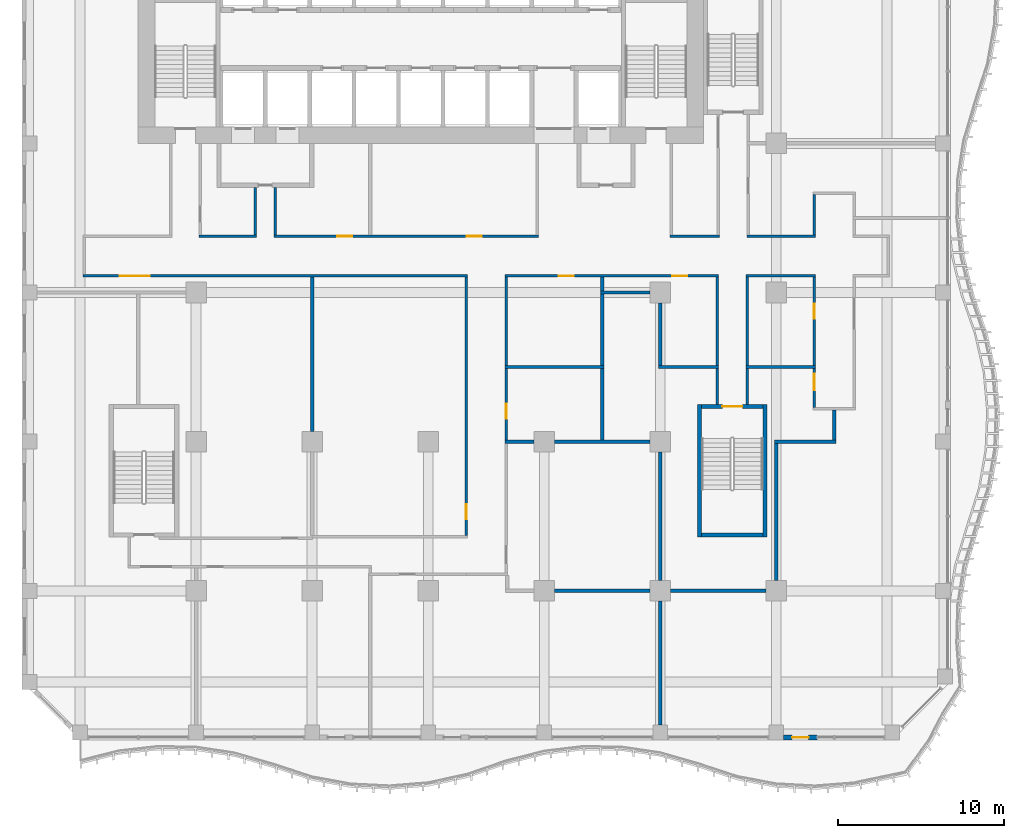
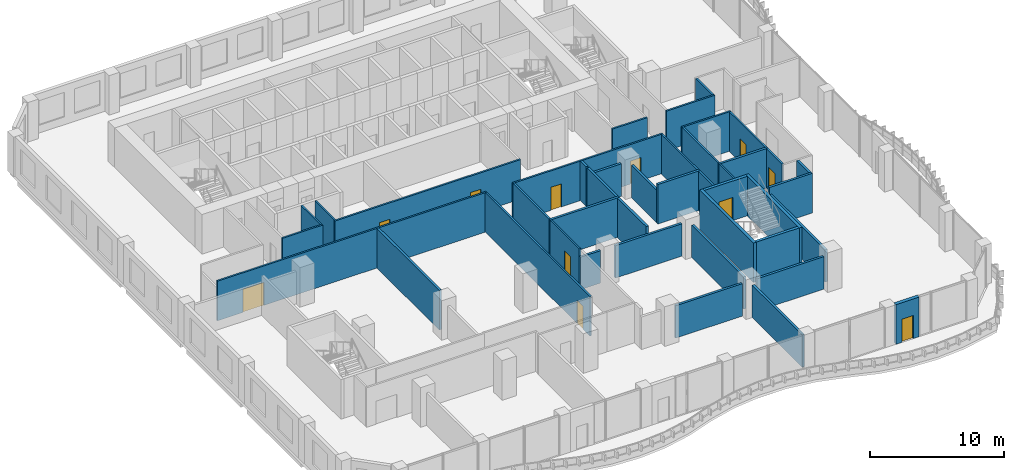
# One storey, part 13 of 21: 42 walls, 11 doors, 11 openings.
"""IFC4 building model written with IfcOpenShell, lengths in metres."""

from ifc_helpers import new_model, si_unit, direction, frame, frame_2d, origin, place, context, subcontext, project, spatial, rectangle, extrude, source, transform, mapped, material, layer, layer_set, type_object, element, fill, save


model = new_model("IFC4")

# Units and contexts
model_context = context("Model", 3, precision=1e-05, world=origin(), true_north=direction((0.0, 1.0)))
body_context = subcontext(model_context, "Body", "Model", "MODEL_VIEW")
ifc_project = project(units=[si_unit("LENGTHUNIT", "METRE"), si_unit("AREAUNIT", "SQUARE_METRE"), si_unit("VOLUMEUNIT", "CUBIC_METRE"), si_unit("PLANEANGLEUNIT", "RADIAN"), si_unit("MASSUNIT", "GRAM", prefix="KILO")], contexts=[model_context])

# Site, building, storey
site_placement = place(None, origin())
site = spatial("IfcSite", under=ifc_project, at=site_placement, CompositionType="ELEMENT")
building_placement = place(site_placement, origin())
building = spatial("IfcBuilding", under=site, at=building_placement, Name="Kilnfold Tower and Market Hall", CompositionType="ELEMENT")
storey_placement = place(building_placement, frame((0.0, 0.0, 91.199951171875)))
storey = spatial("IfcBuildingStorey", under=building, at=storey_placement, Name="L21", CompositionType="ELEMENT", Elevation=91.199951171875)

# Wall, opening, door
ifc_material_1 = material(Name="Gypsum board on steel studs", Category="steel")
ifc_layer_1 = layer(ifc_material_1, 0.14990234375)
ifc_layer_set_1 = layer_set([ifc_layer_1], Name="Gypsum board on steel studs")
wall_type_1 = type_object("IfcWallType", Name="WALL CORRIDOR 150", PredefinedType="PARTITIONING", material=ifc_layer_set_1)
wall_1_placement = place(storey_placement, frame((-19.324951171875, 0.0, 0.0), z_axis=(0.0, 0.0, 1.0), x_axis=(1.0, 0.0, 0.0)))
wall_1 = element("IfcWall", 1, at=wall_1_placement, inside=storey, type_object=wall_type_1, Name="Partition LY14.6", PredefinedType="PARTITIONING", context=body_context, shape_type="SweptSolid", body=[
    extrude(rectangle(XDim=23.199951171875, YDim=0.14990234375, at=frame_2d((11.60009765625, 0.0))), origin(), (0.0, 0.0, 1.0), 3.60009765625),
])
opening_1_placement = place(wall_1_placement, frame((2.215087890625, 0.0, 0.0)))
opening_1 = element("IfcOpeningElement", 2, at=opening_1_placement, cuts=wall_1, Name="Opening D5", PredefinedType="OPENING", context=body_context, shape_type="SweptSolid", body=[
    extrude(rectangle(XDim=1.800048828125, YDim=2.10009765625, at=frame_2d((0.89990234375, 1.050048828125))), frame((0.0, 0.0849609375, 0.0), z_axis=(0.0, -1.0, 0.0), x_axis=(1.0, 0.0, 0.0)), (0.0, 0.0, 1.0), 0.169921875),
])
ifc_material_2 = material(Name="Timber veneer door leaf in steel frame", Category="steel")
door_type_1 = type_object("IfcDoorType", Name="DOOR DOUBLE 1800 X2100", OperationType="NOTDEFINED", PredefinedType="DOOR", material=ifc_material_2)
door_1_placement = place(opening_1_placement, origin())
door_1 = element("IfcDoor", 3, at=door_1_placement, inside=storey, type_object=door_type_1, Name="Door D5", OperationType="DOUBLE_DOOR_SINGLE_SWING", OverallHeight=2.10009765625, OverallWidth=1.800048828125, PredefinedType="DOOR", context=body_context, shape_type="SweptSolid", body=[
    extrude(rectangle(XDim=1.800048828125, YDim=2.10009765625, at=frame_2d((0.89990234375, 1.050048828125))), frame((0.0, 0.02490234375, 0.0), z_axis=(0.0, -1.0, 0.0), x_axis=(1.0, 0.0, 0.0)), (0.0, 0.0, 1.0), 0.050048828125),
])
fill(opening_1, door_1)

wall_2_placement = place(storey_placement, frame((3.800048828125, -0.074951171875, 0.0), z_axis=(0.0, 0.0, 1.0), x_axis=(0.0, -1.0, 0.0)))
wall_2 = element("IfcWall", 4, at=wall_2_placement, inside=storey, type_object=wall_type_1, Name="Partition LY14.12", PredefinedType="PARTITIONING", context=body_context, shape_type="SweptSolid", body=[
    extrude(rectangle(XDim=15.60009765625, YDim=0.14990234375, at=frame_2d((7.800048828125, 0.0))), origin(), (0.0, 0.0, 1.0), 3.60009765625),
])
opening_2_placement = place(wall_2_placement, frame((13.699951171875, 0.0, 0.0)))
opening_2 = element("IfcOpeningElement", 5, at=opening_2_placement, cuts=wall_2, Name="Opening D2", PredefinedType="OPENING", context=body_context, shape_type="SweptSolid", body=[
    extrude(rectangle(XDim=0.89990234375, YDim=2.10009765625, at=frame_2d((0.449951171875, 1.050048828125))), frame((0.0, 0.0849609375, 0.0), z_axis=(0.0, -1.0, 0.0), x_axis=(1.0, 0.0, 0.0)), (0.0, 0.0, 1.0), 0.169921875),
])
ifc_material_3 = material(Name="Timber veneer door leaf in steel frame", Category="steel")
door_type_2 = type_object("IfcDoorType", Name="DOOR ROOM 900 X2100", OperationType="NOTDEFINED", PredefinedType="DOOR", material=ifc_material_3)
door_2_placement = place(opening_2_placement, origin())
door_2 = element("IfcDoor", 6, at=door_2_placement, inside=storey, type_object=door_type_2, Name="Door D2", OperationType="SINGLE_SWING_RIGHT", OverallHeight=2.10009765625, OverallWidth=0.89990234375, PredefinedType="DOOR", context=body_context, shape_type="SweptSolid", body=[
    extrude(rectangle(XDim=0.89990234375, YDim=2.10009765625, at=frame_2d((0.449951171875, 1.050048828125))), frame((0.0, 0.02490234375, 0.0), z_axis=(0.0, -1.0, 0.0), x_axis=(1.0, 0.0, 0.0)), (0.0, 0.0, 1.0), 0.050048828125),
])
fill(opening_2, door_2)

# Walls
wall_3_placement = place(storey_placement, frame((-12.324951171875, 2.39990234375, 0.0), z_axis=(0.0, 0.0, 1.0), x_axis=(1.0, 0.0, 0.0)))
element("IfcWall", 7, at=wall_3_placement, inside=storey, type_object=wall_type_1, Name="Partition LY14.14", PredefinedType="PARTITIONING", context=body_context, shape_type="SweptSolid", body=[
    extrude(rectangle(XDim=3.469970703125, YDim=0.14990234375, at=frame_2d((1.73486328125, 0.0))), origin(), (0.0, 0.0, 1.0), 3.60009765625),
])
for number, where, z_axis, x_axis, name in (
    (8, (-8.929931640625, 5.35009765625, 0.0), (0.0, 0.0, 1.0), (0.0, -1.0, 0.0), "Partition LY14.15"),
    (9, (-7.72998046875, 2.47509765625, 0.0), (0.0, 0.0, 1.0), (0.0, 1.0, 0.0), "Partition LY14.16"),
):
    element("IfcWall", number, at=place(storey_placement, frame(where, z_axis=z_axis, x_axis=x_axis)), inside=storey, type_object=wall_type_1, Name=name, PredefinedType="PARTITIONING", context=body_context, shape_type="SweptSolid", body=[
        extrude(rectangle(XDim=2.875, YDim=0.14990234375, at=frame_2d((1.4375, 0.0))), origin(), (0.0, 0.0, 1.0), 3.60009765625),
    ])

# Wall, openings, doors
wall_4_placement = place(storey_placement, frame((-7.804931640625, 2.39990234375, 0.0), z_axis=(0.0, 0.0, 1.0), x_axis=(1.0, 0.0, 0.0)))
wall_4 = element("IfcWall", 10, at=wall_4_placement, inside=storey, type_object=wall_type_1, Name="Partition LY14.17", PredefinedType="PARTITIONING", context=body_context, shape_type="SweptSolid", body=[
    extrude(rectangle(XDim=15.969970703125, YDim=0.14990234375, at=frame_2d((7.98486328125, 0.0))), origin(), (0.0, 0.0, 1.0), 3.60009765625),
])
opening_3_placement = place(wall_4_placement, frame((3.81201171875, 0.0, 0.0)))
opening_3 = element("IfcOpeningElement", 11, at=opening_3_placement, cuts=wall_4, Name="Opening D3", PredefinedType="OPENING", context=body_context, shape_type="SweptSolid", body=[
    extrude(rectangle(XDim=0.89990234375, YDim=2.10009765625, at=frame_2d((0.449951171875, 1.050048828125))), frame((0.0, 0.0849609375, 0.0), z_axis=(0.0, -1.0, 0.0), x_axis=(1.0, 0.0, 0.0)), (0.0, 0.0, 1.0), 0.169921875),
])
opening_4_placement = place(wall_4_placement, frame((11.64306640625, 0.0, 0.0)))
opening_4 = element("IfcOpeningElement", 12, at=opening_4_placement, cuts=wall_4, Name="Opening D2", PredefinedType="OPENING", context=body_context, shape_type="SweptSolid", body=[
    extrude(rectangle(XDim=0.89990234375, YDim=2.10009765625, at=frame_2d((0.449951171875, 1.050048828125))), frame((0.0, 0.0849609375, 0.0), z_axis=(0.0, -1.0, 0.0), x_axis=(1.0, 0.0, 0.0)), (0.0, 0.0, 1.0), 0.169921875),
])
door_3_placement = place(opening_4_placement, origin())
door_3 = element("IfcDoor", 13, at=door_3_placement, inside=storey, type_object=door_type_2, Name="Door D2", OperationType="SINGLE_SWING_LEFT", OverallHeight=2.10009765625, OverallWidth=0.89990234375, PredefinedType="DOOR", context=body_context, shape_type="SweptSolid", body=[
    extrude(rectangle(XDim=0.89990234375, YDim=2.10009765625, at=frame_2d((0.449951171875, 1.050048828125))), frame((0.0, 0.02490234375, 0.0), z_axis=(0.0, -1.0, 0.0), x_axis=(1.0, 0.0, 0.0)), (0.0, 0.0, 1.0), 0.050048828125),
])
fill(opening_4, door_3)
ifc_material_4 = material(Name="Timber veneer door leaf in steel frame", Category="steel")
door_type_3 = type_object("IfcDoorType", Name="DOOR WC 900 X2100", OperationType="NOTDEFINED", PredefinedType="DOOR", material=ifc_material_4)
door_4_placement = place(opening_3_placement, origin())
door_4 = element("IfcDoor", 14, at=door_4_placement, inside=storey, type_object=door_type_3, Name="Door D3", OperationType="SINGLE_SWING_RIGHT", OverallHeight=2.10009765625, OverallWidth=0.89990234375, PredefinedType="DOOR", context=body_context, shape_type="SweptSolid", body=[
    extrude(rectangle(XDim=0.89990234375, YDim=2.10009765625, at=frame_2d((0.449951171875, 1.050048828125))), frame((0.0, 0.02490234375, 0.0), z_axis=(0.0, -1.0, 0.0), x_axis=(1.0, 0.0, 0.0)), (0.0, 0.0, 1.0), 0.050048828125),
])
fill(opening_3, door_4)

# Wall, opening, door
wall_5_placement = place(storey_placement, frame((6.199951171875, -9.909912109375, 0.0), z_axis=(0.0, 0.0, 1.0), x_axis=(0.0, 1.0, 0.0)))
wall_5 = element("IfcWall", 15, at=wall_5_placement, inside=storey, type_object=wall_type_1, Name="Partition LY14.20", PredefinedType="PARTITIONING", context=body_context, shape_type="SweptSolid", body=[
    extrude(rectangle(XDim=4.31982421875, YDim=0.14990234375, at=frame_2d((2.159912109375, 0.0))), origin(), (0.0, 0.0, 1.0), 3.60009765625),
])
opening_5_placement = place(wall_5_placement, frame((1.306884765625, 0.0, 0.0)))
opening_5 = element("IfcOpeningElement", 16, at=opening_5_placement, cuts=wall_5, Name="Opening D2", PredefinedType="OPENING", context=body_context, shape_type="SweptSolid", body=[
    extrude(rectangle(XDim=0.89990234375, YDim=2.10009765625, at=frame_2d((0.449951171875, 1.050048828125))), frame((0.0, 0.0849609375, 0.0), z_axis=(0.0, -1.0, 0.0), x_axis=(1.0, 0.0, 0.0)), (0.0, 0.0, 1.0), 0.169921875),
])
door_5_placement = place(opening_5_placement, origin())
door_5 = element("IfcDoor", 17, at=door_5_placement, inside=storey, type_object=door_type_2, Name="Door D2", OperationType="SINGLE_SWING_RIGHT", OverallHeight=2.10009765625, OverallWidth=0.89990234375, PredefinedType="DOOR", context=body_context, shape_type="SweptSolid", body=[
    extrude(rectangle(XDim=0.89990234375, YDim=2.10009765625, at=frame_2d((0.449951171875, 1.050048828125))), frame((0.0, 0.02490234375, 0.0), z_axis=(0.0, -1.0, 0.0), x_axis=(1.0, 0.0, 0.0)), (0.0, 0.0, 1.0), 0.050048828125),
])
fill(opening_5, door_5)

# Wall, openings, doors
wall_6_placement = place(storey_placement, frame((6.125, 0.0, 0.0), z_axis=(0.0, 0.0, 1.0), x_axis=(1.0, 0.0, 0.0)))
wall_6 = element("IfcWall", 18, at=wall_6_placement, inside=storey, type_object=wall_type_1, Name="Partition LY14.21", PredefinedType="PARTITIONING", context=body_context, shape_type="SweptSolid", body=[
    extrude(rectangle(XDim=12.89990234375, YDim=0.14990234375, at=frame_2d((6.449951171875, 0.0))), origin(), (0.0, 0.0, 1.0), 3.60009765625),
])
opening_6_placement = place(wall_6_placement, frame((3.257080078125, 0.0, 0.0)))
opening_6 = element("IfcOpeningElement", 19, at=opening_6_placement, cuts=wall_6, Name="Opening D3", PredefinedType="OPENING", context=body_context, shape_type="SweptSolid", body=[
    extrude(rectangle(XDim=0.89990234375, YDim=2.10009765625, at=frame_2d((0.449951171875, 1.050048828125))), frame((0.0, 0.0849609375, 0.0), z_axis=(0.0, -1.0, 0.0), x_axis=(1.0, 0.0, 0.0)), (0.0, 0.0, 1.0), 0.169921875),
])
opening_7_placement = place(wall_6_placement, frame((10.090087890625, 0.0, 0.0)))
opening_7 = element("IfcOpeningElement", 20, at=opening_7_placement, cuts=wall_6, Name="Opening D2", PredefinedType="OPENING", context=body_context, shape_type="SweptSolid", body=[
    extrude(rectangle(XDim=0.89990234375, YDim=2.10009765625, at=frame_2d((0.449951171875, 1.050048828125))), frame((0.0, 0.0849609375, 0.0), z_axis=(0.0, -1.0, 0.0), x_axis=(1.0, 0.0, 0.0)), (0.0, 0.0, 1.0), 0.169921875),
])
door_6_placement = place(opening_7_placement, origin())
door_6 = element("IfcDoor", 21, at=door_6_placement, inside=storey, type_object=door_type_2, Name="Door D2", OperationType="SINGLE_SWING_LEFT", OverallHeight=2.10009765625, OverallWidth=0.89990234375, PredefinedType="DOOR", context=body_context, shape_type="SweptSolid", body=[
    extrude(rectangle(XDim=0.89990234375, YDim=2.10009765625, at=frame_2d((0.449951171875, 1.050048828125))), frame((0.0, 0.02490234375, 0.0), z_axis=(0.0, -1.0, 0.0), x_axis=(1.0, 0.0, 0.0)), (0.0, 0.0, 1.0), 0.050048828125),
])
fill(opening_7, door_6)
door_7_placement = place(opening_6_placement, origin())
door_7 = element("IfcDoor", 22, at=door_7_placement, inside=storey, type_object=door_type_3, Name="Door D3", OperationType="SINGLE_SWING_LEFT", OverallHeight=2.10009765625, OverallWidth=0.89990234375, PredefinedType="DOOR", context=body_context, shape_type="SweptSolid", body=[
    extrude(rectangle(XDim=0.89990234375, YDim=2.10009765625, at=frame_2d((0.449951171875, 1.050048828125))), frame((0.0, 0.02490234375, 0.0), z_axis=(0.0, -1.0, 0.0), x_axis=(1.0, 0.0, 0.0)), (0.0, 0.0, 1.0), 0.050048828125),
])
fill(opening_6, door_7)

# Walls
for number, where, z_axis, x_axis, name in (
    (23, (6.199951171875, -5.409912109375, 0.0), (0.0, 0.0, 1.0), (0.0, 1.0, 0.0), "Partition LY14.22"),
    (24, (18.949951171875, -5.409912109375, 0.0), (0.0, 0.0, 1.0), (0.0, 1.0, 0.0), "Partition LY14.23"),
):
    element("IfcWall", number, at=place(storey_placement, frame(where, z_axis=z_axis, x_axis=x_axis)), inside=storey, type_object=wall_type_1, Name=name, PredefinedType="PARTITIONING", context=body_context, shape_type="SweptSolid", body=[
        extrude(rectangle(XDim=5.3349609375, YDim=0.14990234375, at=frame_2d((2.66748046875, 0.0))), origin(), (0.0, 0.0, 1.0), 3.60009765625),
    ])

# Wall, opening, door
wall_7_placement = place(storey_placement, frame((24.800048828125, -7.925048828125, 0.0), z_axis=(0.0, 0.0, 1.0), x_axis=(0.0, 1.0, 0.0)))
wall_7 = element("IfcWall", 25, at=wall_7_placement, inside=storey, type_object=wall_type_1, Name="Partition LY14.25", PredefinedType="PARTITIONING", context=body_context, shape_type="SweptSolid", body=[
    extrude(rectangle(XDim=2.3349609375, YDim=0.14990234375, at=frame_2d((1.16748046875, 0.0))), origin(), (0.0, 0.0, 1.0), 3.60009765625),
])
opening_8_placement = place(wall_7_placement, frame((1.031005859375, 0.0, 0.0)))
opening_8 = element("IfcOpeningElement", 26, at=opening_8_placement, cuts=wall_7, Name="Opening D1", PredefinedType="OPENING", context=body_context, shape_type="SweptSolid", body=[
    extrude(rectangle(XDim=1.0, YDim=2.10009765625, at=frame_2d((0.5, 1.050048828125))), frame((0.0, 0.0849609375, 0.0), z_axis=(0.0, -1.0, 0.0), x_axis=(1.0, 0.0, 0.0)), (0.0, 0.0, 1.0), 0.169921875),
])
ifc_material_5 = material(Name="Timber veneer door leaf in steel frame", Category="steel")
door_type_4 = type_object("IfcDoorType", Name="DOOR ENTRY 1000 X2100", OperationType="NOTDEFINED", PredefinedType="DOOR", material=ifc_material_5)
door_8_placement = place(opening_8_placement, origin())
door_8 = element("IfcDoor", 27, at=door_8_placement, inside=storey, type_object=door_type_4, Name="Door D1", OperationType="SINGLE_SWING_RIGHT", OverallHeight=2.10009765625, OverallWidth=1.0, PredefinedType="DOOR", context=body_context, shape_type="SweptSolid", body=[
    extrude(rectangle(XDim=1.0, YDim=2.10009765625, at=frame_2d((0.5, 1.050048828125))), frame((0.0, 0.02490234375, 0.0), z_axis=(0.0, -1.0, 0.0), x_axis=(1.0, 0.0, 0.0)), (0.0, 0.0, 1.0), 0.050048828125),
])
fill(opening_8, door_8)

# Walls
for number, where, z_axis, x_axis, name in (
    (28, (20.75, -7.75, 0.0), (0.0, 0.0, 1.0), (0.0, 1.0, 0.0), "Partition LY14.26"),
    (29, (18.949951171875, -7.75, 0.0), (0.0, 0.0, 1.0), (0.0, 1.0, 0.0), "Partition LY14.27"),
):
    element("IfcWall", number, at=place(storey_placement, frame(where, z_axis=z_axis, x_axis=x_axis)), inside=storey, type_object=wall_type_1, Name=name, PredefinedType="PARTITIONING", context=body_context, shape_type="SweptSolid", body=[
        extrude(rectangle(XDim=2.159912109375, YDim=0.14990234375, at=frame_2d((1.080078125, 0.0))), origin(), (0.0, 0.0, 1.0), 3.60009765625),
    ])
wall_8_placement = place(storey_placement, frame((16.074951171875, 2.39990234375, 0.0), z_axis=(0.0, 0.0, 1.0), x_axis=(1.0, 0.0, 0.0)))
element("IfcWall", 30, at=wall_8_placement, inside=storey, type_object=wall_type_1, Name="Partition LY14.29", PredefinedType="PARTITIONING", context=body_context, shape_type="SweptSolid", body=[
    extrude(rectangle(XDim=3.0, YDim=0.14990234375, at=frame_2d((1.5, 0.0))), origin(), (0.0, 0.0, 1.0), 3.60009765625),
])

# Wall, opening, door
wall_9_placement = place(storey_placement, frame((24.800048828125, -5.409912109375, 0.0), z_axis=(0.0, 0.0, 1.0), x_axis=(0.0, 1.0, 0.0)))
wall_9 = element("IfcWall", 31, at=wall_9_placement, inside=storey, type_object=wall_type_1, Name="Partition LY14.32", PredefinedType="PARTITIONING", context=body_context, shape_type="SweptSolid", body=[
    extrude(rectangle(XDim=5.3349609375, YDim=0.14990234375, at=frame_2d((2.66748046875, 0.0))), origin(), (0.0, 0.0, 1.0), 3.60009765625),
])
opening_9_placement = place(wall_9_placement, frame((2.822998046875, 0.0, 0.0)))
opening_9 = element("IfcOpeningElement", 32, at=opening_9_placement, cuts=wall_9, Name="Opening D2", PredefinedType="OPENING", context=body_context, shape_type="SweptSolid", body=[
    extrude(rectangle(XDim=0.89990234375, YDim=2.10009765625, at=frame_2d((0.449951171875, 1.050048828125))), frame((0.0, 0.0849609375, 0.0), z_axis=(0.0, -1.0, 0.0), x_axis=(1.0, 0.0, 0.0)), (0.0, 0.0, 1.0), 0.169921875),
])
door_9_placement = place(opening_9_placement, origin())
door_9 = element("IfcDoor", 33, at=door_9_placement, inside=storey, type_object=door_type_2, Name="Door D2", OperationType="SINGLE_SWING_LEFT", OverallHeight=2.10009765625, OverallWidth=0.89990234375, PredefinedType="DOOR", context=body_context, shape_type="SweptSolid", body=[
    extrude(rectangle(XDim=0.89990234375, YDim=2.10009765625, at=frame_2d((0.449951171875, 1.050048828125))), frame((0.0, 0.02490234375, 0.0), z_axis=(0.0, -1.0, 0.0), x_axis=(1.0, 0.0, 0.0)), (0.0, 0.0, 1.0), 0.050048828125),
])
fill(opening_9, door_9)

# Walls
wall_10_placement = place(storey_placement, frame((20.675048828125, 0.0, 0.0), z_axis=(0.0, 0.0, 1.0), x_axis=(1.0, 0.0, 0.0)))
element("IfcWall", 34, at=wall_10_placement, inside=storey, type_object=wall_type_1, Name="Partition LY14.33", PredefinedType="PARTITIONING", context=body_context, shape_type="SweptSolid", body=[
    extrude(rectangle(XDim=4.199951171875, YDim=0.14990234375, at=frame_2d((2.10009765625, 0.0))), origin(), (0.0, 0.0, 1.0), 3.60009765625),
])
wall_11_placement = place(storey_placement, frame((20.75, -5.409912109375, 0.0), z_axis=(0.0, 0.0, 1.0), x_axis=(0.0, 1.0, 0.0)))
element("IfcWall", 35, at=wall_11_placement, inside=storey, type_object=wall_type_1, Name="Partition LY14.34", PredefinedType="PARTITIONING", context=body_context, shape_type="SweptSolid", body=[
    extrude(rectangle(XDim=5.3349609375, YDim=0.14990234375, at=frame_2d((2.66748046875, 0.0))), origin(), (0.0, 0.0, 1.0), 3.60009765625),
])
wall_12_placement = place(storey_placement, frame((20.72509765625, 2.39990234375, 0.0), z_axis=(0.0, 0.0, 1.0), x_axis=(1.0, 0.0, 0.0)))
element("IfcWall", 36, at=wall_12_placement, inside=storey, type_object=wall_type_1, Name="Partition LY14.36", PredefinedType="PARTITIONING", context=body_context, shape_type="SweptSolid", body=[
    extrude(rectangle(XDim=4.14990234375, YDim=0.14990234375, at=frame_2d((2.074951171875, 0.0))), origin(), (0.0, 0.0, 1.0), 3.60009765625),
])
wall_13_placement = place(storey_placement, frame((24.800048828125, 2.47509765625, 0.0), z_axis=(0.0, 0.0, 1.0), x_axis=(0.0, 1.0, 0.0)))
element("IfcWall", 37, at=wall_13_placement, inside=storey, type_object=wall_type_1, Name="Partition LY14.37", PredefinedType="PARTITIONING", context=body_context, shape_type="SweptSolid", body=[
    extrude(rectangle(XDim=2.449951171875, YDim=0.14990234375, at=frame_2d((1.22509765625, 0.0))), origin(), (0.0, 0.0, 1.0), 3.60009765625),
])
ifc_material_6 = material(Name="Gypsum board on steel studs", Category="steel")
ifc_layer_2 = layer(ifc_material_6, 0.199951171875)
ifc_layer_set_2 = layer_set([ifc_layer_2], Name="Gypsum board on steel studs")
wall_type_2 = type_object("IfcWallType", Name="WALL PARTY 200", PredefinedType="PARTITIONING", material=ifc_layer_set_2)
wall_14_placement = place(storey_placement, frame((9.125, -19.0, 0.0), z_axis=(0.0, 0.0, 1.0), x_axis=(1.0, 0.0, 0.0)))
element("IfcWall", 38, at=wall_14_placement, inside=storey, type_object=wall_type_2, Name="Partition LY14.52", PredefinedType="PARTITIONING", context=body_context, shape_type="SweptSolid", body=[
    extrude(rectangle(XDim=5.75, YDim=0.199951171875, at=frame_2d((2.875, 0.0))), origin(), (0.0, 0.0, 1.0), 2.949951171875),
])
wall_15_placement = place(storey_placement, frame((15.5, -27.10009765625, 0.0), z_axis=(0.0, 0.0, 1.0), x_axis=(0.0, 1.0, 0.0)))
element("IfcWall", 39, at=wall_15_placement, inside=storey, type_object=wall_type_2, Name="Partition LY14.53", PredefinedType="PARTITIONING", context=body_context, shape_type="SweptSolid", body=[
    extrude(rectangle(XDim=7.47509765625, YDim=0.199951171875, at=frame_2d((3.737548828125, 0.0))), origin(), (0.0, 0.0, 1.0), 2.949951171875),
])
wall_16_placement = place(storey_placement, frame((-5.5, -9.375, 0.0), z_axis=(0.0, 0.0, 1.0), x_axis=(0.0, 1.0, 0.0)))
element("IfcWall", 40, at=wall_16_placement, inside=storey, type_object=wall_type_2, Name="Partition LY14.56", PredefinedType="PARTITIONING", context=body_context, shape_type="SweptSolid", body=[
    extrude(rectangle(XDim=9.299072265625, YDim=0.199951171875, at=frame_2d((4.6494140625, 0.0))), origin(), (0.0, 0.0, 1.0), 3.60009765625),
])
wall_17_placement = place(storey_placement, frame((9.125, -10.0, 0.0), z_axis=(0.0, 0.0, 1.0), x_axis=(1.0, 0.0, 0.0)))
element("IfcWall", 41, at=wall_17_placement, inside=storey, type_object=wall_type_2, Name="Partition LY14.59", PredefinedType="PARTITIONING", context=body_context, shape_type="SweptSolid", body=[
    extrude(rectangle(XDim=5.75, YDim=0.199951171875, at=frame_2d((2.875, 0.0))), origin(), (0.0, 0.0, 1.0), 2.949951171875),
])
wall_18_placement = place(storey_placement, frame((6.1259765625, -10.0, 0.0), z_axis=(0.0, 0.0, 1.0), x_axis=(1.0, 0.0, 0.0)))
element("IfcWall", 42, at=wall_18_placement, inside=storey, type_object=wall_type_2, Name="Partition LY14.60", PredefinedType="PARTITIONING", context=body_context, shape_type="SweptSolid", body=[
    extrude(rectangle(XDim=1.7490234375, YDim=0.199951171875, at=frame_2d((0.87451171875, 0.0))), origin(), (0.0, 0.0, 1.0), 2.949951171875),
])
wall_19_placement = place(storey_placement, frame((15.5, -18.375, 0.0), z_axis=(0.0, 0.0, 1.0), x_axis=(0.0, 1.0, 0.0)))
element("IfcWall", 43, at=wall_19_placement, inside=storey, type_object=wall_type_2, Name="Partition LY14.61", PredefinedType="PARTITIONING", context=body_context, shape_type="SweptSolid", body=[
    extrude(rectangle(XDim=7.75, YDim=0.199951171875, at=frame_2d((3.875, 0.0))), origin(), (0.0, 0.0, 1.0), 2.949951171875),
])
wall_20_placement = place(storey_placement, frame((6.1259765625, -5.5, 0.0), z_axis=(0.0, 0.0, 1.0), x_axis=(1.0, 0.0, 0.0)))
element("IfcWall", 44, at=wall_20_placement, inside=storey, type_object=wall_type_2, Name="Partition LY14.62", PredefinedType="PARTITIONING", context=body_context, shape_type="SweptSolid", body=[
    extrude(rectangle(XDim=5.97412109375, YDim=0.199951171875, at=frame_2d((2.987060546875, 0.0))), origin(), (0.0, 0.0, 1.0), 3.60009765625),
])
wall_21_placement = place(storey_placement, frame((12.0, -9.89990234375, 0.0), z_axis=(0.0, 0.0, 1.0), x_axis=(0.0, 1.0, 0.0)))
element("IfcWall", 45, at=wall_21_placement, inside=storey, type_object=wall_type_2, Name="Partition LY14.63", PredefinedType="PARTITIONING", context=body_context, shape_type="SweptSolid", body=[
    extrude(rectangle(XDim=4.2998046875, YDim=0.199951171875, at=frame_2d((2.14990234375, 0.0))), origin(), (0.0, 0.0, 1.0), 3.60009765625),
])
wall_22_placement = place(storey_placement, frame((12.0, -0.909912109375, 0.0), z_axis=(0.0, 0.0, 1.0), x_axis=(0.0, 1.0, 0.0)))
element("IfcWall", 46, at=wall_22_placement, inside=storey, type_object=wall_type_2, Name="Partition LY14.64", PredefinedType="PARTITIONING", context=body_context, shape_type="SweptSolid", body=[
    extrude(rectangle(XDim=0.833984375, YDim=0.199951171875, at=frame_2d((0.4169921875, 0.0))), origin(), (0.0, 0.0, 1.0), 3.60009765625),
])
wall_23_placement = place(storey_placement, frame((12.0, -5.39990234375, 0.0), z_axis=(0.0, 0.0, 1.0), x_axis=(0.0, 1.0, 0.0)))
element("IfcWall", 47, at=wall_23_placement, inside=storey, type_object=wall_type_2, Name="Partition LY14.65", PredefinedType="PARTITIONING", context=body_context, shape_type="SweptSolid", body=[
    extrude(rectangle(XDim=4.309814453125, YDim=0.199951171875, at=frame_2d((2.15478515625, 0.0))), origin(), (0.0, 0.0, 1.0), 3.60009765625),
])
wall_24_placement = place(storey_placement, frame((15.39990234375, -5.5, 0.0), z_axis=(0.0, 0.0, 1.0), x_axis=(1.0, 0.0, 0.0)))
element("IfcWall", 48, at=wall_24_placement, inside=storey, type_object=wall_type_2, Name="Partition LY14.66", PredefinedType="PARTITIONING", context=body_context, shape_type="SweptSolid", body=[
    extrude(rectangle(XDim=3.6240234375, YDim=0.199951171875, at=frame_2d((1.81201171875, 0.0))), origin(), (0.0, 0.0, 1.0), 3.60009765625),
])
wall_25_placement = place(storey_placement, frame((15.5, -5.39990234375, 0.0), z_axis=(0.0, 0.0, 1.0), x_axis=(0.0, 1.0, 0.0)))
element("IfcWall", 49, at=wall_25_placement, inside=storey, type_object=wall_type_2, Name="Partition LY14.67", PredefinedType="PARTITIONING", context=body_context, shape_type="SweptSolid", body=[
    extrude(rectangle(XDim=3.77490234375, YDim=0.199951171875, at=frame_2d((1.887451171875, 0.0))), origin(), (0.0, 0.0, 1.0), 2.949951171875),
])
wall_26_placement = place(storey_placement, frame((11.89990234375, -1.0, 0.0), z_axis=(0.0, 0.0, 1.0), x_axis=(1.0, 0.0, 0.0)))
element("IfcWall", 50, at=wall_26_placement, inside=storey, type_object=wall_type_2, Name="Partition LY14.68", PredefinedType="PARTITIONING", context=body_context, shape_type="SweptSolid", body=[
    extrude(rectangle(XDim=2.97509765625, YDim=0.199951171875, at=frame_2d((1.487548828125, 0.0))), origin(), (0.0, 0.0, 1.0), 2.949951171875),
])
wall_27_placement = place(storey_placement, frame((20.676025390625, -5.5, 0.0), z_axis=(0.0, 0.0, 1.0), x_axis=(1.0, 0.0, 0.0)))
element("IfcWall", 51, at=wall_27_placement, inside=storey, type_object=wall_type_2, Name="Partition LY14.69", PredefinedType="PARTITIONING", context=body_context, shape_type="SweptSolid", body=[
    extrude(rectangle(XDim=4.197998046875, YDim=0.199951171875, at=frame_2d((2.09912109375, 0.0))), origin(), (0.0, 0.0, 1.0), 3.60009765625),
])
wall_28_placement = place(storey_placement, frame((26.0, -9.89990234375, 0.0), z_axis=(0.0, 0.0, 1.0), x_axis=(0.0, 1.0, 0.0)))
element("IfcWall", 52, at=wall_28_placement, inside=storey, type_object=wall_type_2, Name="Partition LY14.70", PredefinedType="PARTITIONING", context=body_context, shape_type="SweptSolid", body=[
    extrude(rectangle(XDim=1.823974609375, YDim=0.199951171875, at=frame_2d((0.912109375, 0.0))), origin(), (0.0, 0.0, 1.0), 3.60009765625),
])
wall_29_placement = place(storey_placement, frame((22.39990234375, -10.0, 0.0), z_axis=(0.0, 0.0, 1.0), x_axis=(1.0, 0.0, 0.0)))
element("IfcWall", 53, at=wall_29_placement, inside=storey, type_object=wall_type_2, Name="Partition LY14.71", PredefinedType="PARTITIONING", context=body_context, shape_type="SweptSolid", body=[
    extrude(rectangle(XDim=3.7001953125, YDim=0.199951171875, at=frame_2d((1.85009765625, 0.0))), origin(), (0.0, 0.0, 1.0), 3.60009765625),
])
wall_30_placement = place(storey_placement, frame((22.5, -18.375, 0.0), z_axis=(0.0, 0.0, 1.0), x_axis=(0.0, 1.0, 0.0)))
element("IfcWall", 54, at=wall_30_placement, inside=storey, type_object=wall_type_2, Name="Partition LY14.72", PredefinedType="PARTITIONING", context=body_context, shape_type="SweptSolid", body=[
    extrude(rectangle(XDim=8.27490234375, YDim=0.199951171875, at=frame_2d((4.137451171875, 0.0))), origin(), (0.0, 0.0, 1.0), 2.949951171875),
])
wall_31_placement = place(storey_placement, frame((16.125, -19.0, 0.0), z_axis=(0.0, 0.0, 1.0), x_axis=(1.0, 0.0, 0.0)))
element("IfcWall", 55, at=wall_31_placement, inside=storey, type_object=wall_type_2, Name="Partition LY14.73", PredefinedType="PARTITIONING", context=body_context, shape_type="SweptSolid", body=[
    extrude(rectangle(XDim=5.75, YDim=0.199951171875, at=frame_2d((2.875, 0.0))), origin(), (0.0, 0.0, 1.0), 2.949951171875),
])
ifc_material_7 = material(Name="Concrete C80", Category="concrete")
ifc_layer_3 = layer(ifc_material_7, 0.25)
ifc_layer_set_3 = layer_set([ifc_layer_3], Name="Concrete C80")
wall_type_3 = type_object("IfcWallType", Name="CORE WALL 250 C80", PredefinedType="SHEAR", material=ifc_layer_set_3)
shared_shape_1 = source(origin(), body_context, "Body", "SweptSolid", [
    extrude(rectangle(XDim=3.699951171875, YDim=0.25, at=frame_2d((1.85009765625, 0.0))), origin(), (0.0, 0.0, 1.0), 3.60009765625),
])
wall_32_placement = place(storey_placement, frame((18.0, -15.625, 0.0), z_axis=(0.0, 0.0, 1.0), x_axis=(1.0, 0.0, 0.0)))
element("IfcWall", 56, at=wall_32_placement, inside=storey, type_object=wall_type_3, Name="Stair enclosure ST4", PredefinedType="SHEAR", context=body_context, shape_type="MappedRepresentation", body=[
    mapped(shared_shape_1, transform((0.0, 0.0, 0.0))),
])

# Wall, opening, door
wall_33_placement = place(storey_placement, frame((18.0, -7.875, 0.0), z_axis=(0.0, 0.0, 1.0), x_axis=(1.0, 0.0, 0.0)))
wall_33 = element("IfcWall", 57, at=wall_33_placement, inside=storey, type_object=wall_type_3, Name="Stair enclosure ST4", PredefinedType="SHEAR", context=body_context, shape_type="MappedRepresentation", body=[
    mapped(shared_shape_1, transform((0.0, 0.0, 0.0))),
])
opening_10_placement = place(wall_33_placement, frame((1.25, 0.0, 0.0)))
opening_10 = element("IfcOpeningElement", 58, at=opening_10_placement, cuts=wall_33, Name="Opening SD1", PredefinedType="OPENING", context=body_context, shape_type="SweptSolid", body=[
    extrude(rectangle(XDim=1.199951171875, YDim=2.10009765625, at=frame_2d((0.60009765625, 1.050048828125))), frame((0.0, 0.135009765625, 0.0), z_axis=(0.0, -1.0, 0.0), x_axis=(1.0, 0.0, 0.0)), (0.0, 0.0, 1.0), 0.27001953125),
])
ifc_material_8 = material(Name="Steel door set with fire-resisting leaf", Category="steel")
door_type_5 = type_object("IfcDoorType", Name="STAIR FLOOR DOOR 1200X2100", OperationType="NOTDEFINED", PredefinedType="DOOR", material=ifc_material_8)
door_10_placement = place(opening_10_placement, origin())
door_10 = element("IfcDoor", 59, at=door_10_placement, inside=storey, type_object=door_type_5, Name="Exit stair ST4 door", OperationType="DOUBLE_DOOR_SINGLE_SWING", OverallHeight=2.10009765625, OverallWidth=1.199951171875, PredefinedType="DOOR", context=body_context, shape_type="SweptSolid", body=[
    extrude(rectangle(XDim=1.199951171875, YDim=2.10009765625, at=frame_2d((0.60009765625, 1.050048828125))), frame((0.0, 0.02490234375, 0.0), z_axis=(0.0, -1.0, 0.0), x_axis=(1.0, 0.0, 0.0)), (0.0, 0.0, 1.0), 0.050048828125),
])
fill(opening_10, door_10)

# Walls
shared_shape_2 = source(origin(), body_context, "Body", "SweptSolid", [
    extrude(rectangle(XDim=8.0, YDim=0.25, at=frame_2d((4.0, 0.0))), origin(), (0.0, 0.0, 1.0), 3.60009765625),
])
for number, where, z_axis, x_axis, name in (
    (60, (17.875, -15.75, 0.0), (0.0, 0.0, 1.0), (0.0, 1.0, 0.0), "Stair enclosure ST4"),
    (61, (21.824951171875, -15.75, 0.0), (0.0, 0.0, 1.0), (0.0, 1.0, 0.0), "Stair enclosure ST4"),
):
    element("IfcWall", number, at=place(storey_placement, frame(where, z_axis=z_axis, x_axis=x_axis)), inside=storey, type_object=wall_type_3, Name=name, PredefinedType="SHEAR", context=body_context, shape_type="MappedRepresentation", body=[
        mapped(shared_shape_2, transform((0.0, 0.0, 0.0))),
    ])

# Wall, opening, door
ifc_material_9 = material(Name="Precast concrete C50/60", Category="concrete")
ifc_layer_4 = layer(ifc_material_9, 0.300048828125)
ifc_layer_set_4 = layer_set([ifc_layer_4], Name="Precast concrete C50/60")
wall_type_4 = type_object("IfcWallType", Name="PRECAST WALL 300", PredefinedType="SOLIDWALL", material=ifc_layer_set_4)
shared_shape_3 = source(origin(), body_context, "Body", "SweptSolid", [
    extrude(rectangle(XDim=2.0, YDim=0.300048828125, at=frame_2d((1.0, 0.0))), origin(), (0.0, 0.0, 1.0), 3.60009765625),
])
wall_34_placement = place(storey_placement, frame((22.949951171875, -27.85009765625, 0.0), z_axis=(0.0, 0.0, 1.0), x_axis=(1.0, 0.0, 0.0)))
wall_34 = element("IfcWall", 62, at=wall_34_placement, inside=storey, type_object=wall_type_4, Name="External wall L21 S", PredefinedType="SOLIDWALL", context=body_context, shape_type="MappedRepresentation", body=[
    mapped(shared_shape_3, transform((0.0, 0.0, 0.0))),
])
opening_11_placement = place(wall_34_placement, frame((0.5, 0.0, 0.0)))
opening_11 = element("IfcOpeningElement", 63, at=opening_11_placement, cuts=wall_34, Name="Opening BD1", PredefinedType="OPENING", context=body_context, shape_type="SweptSolid", body=[
    extrude(rectangle(XDim=1.0, YDim=2.10009765625, at=frame_2d((0.5, 1.050048828125))), frame((0.0, 0.16015625, 0.0), z_axis=(0.0, -1.0, 0.0), x_axis=(1.0, 0.0, 0.0)), (0.0, 0.0, 1.0), 0.320068359375),
])
ifc_material_10 = material(Name="Aluminium frame and double glazing", Category="aluminium")
door_type_6 = type_object("IfcDoorType", Name="BALCONY DOOR 1000X2100", OperationType="NOTDEFINED", PredefinedType="DOOR", material=ifc_material_10)
door_11_placement = place(opening_11_placement, origin())
door_11 = element("IfcDoor", 64, at=door_11_placement, inside=storey, type_object=door_type_6, Name="Balcony door BD1 L21 S-1", OperationType="SINGLE_SWING_LEFT", OverallHeight=2.10009765625, OverallWidth=1.0, PredefinedType="DOOR", context=body_context, shape_type="SweptSolid", body=[
    extrude(rectangle(XDim=1.0, YDim=2.10009765625, at=frame_2d((0.5, 1.050048828125))), frame((0.0, 0.02490234375, 0.0), z_axis=(0.0, -1.0, 0.0), x_axis=(1.0, 0.0, 0.0)), (0.0, 0.0, 1.0), 0.050048828125),
])
fill(opening_11, door_11)

save(model, "model.ifc")
